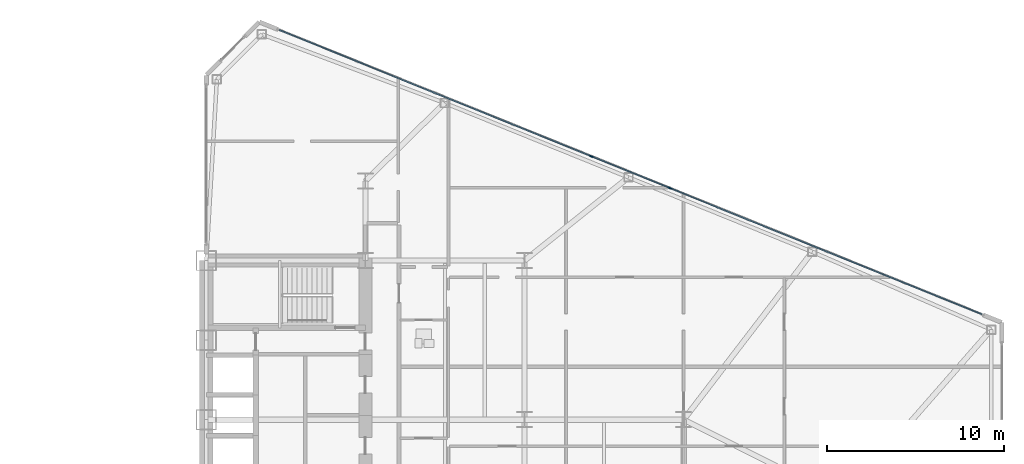
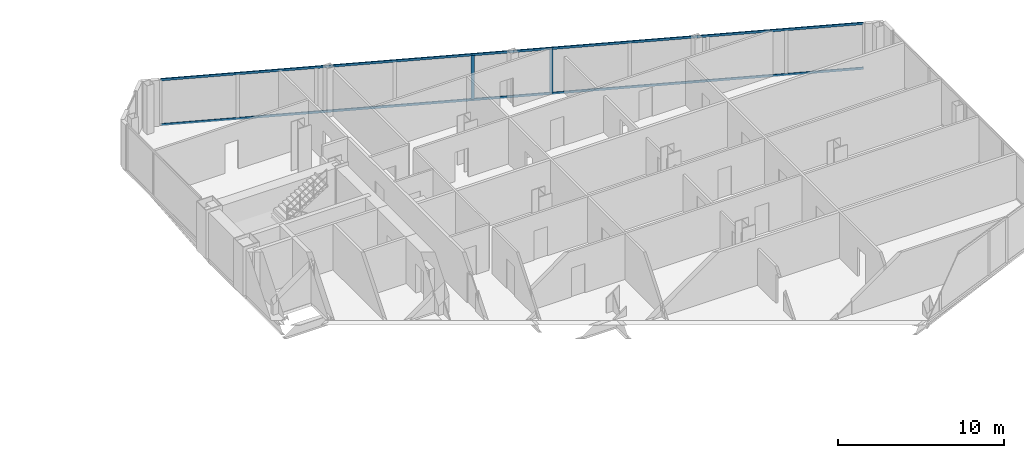
# One storey, part 12 of 25: 4 members, 1 element without a shape of its own.
"""IFC4 building model written with IfcOpenShell, lengths in metres."""

import ifcopenshell
import ifcopenshell.guid

model = None  # the IFC model being written
_history = None  # IfcOwnerHistory: only IFC2X3 demands one
_inside = {}  # id of a spatial element -> (the spatial element, [elements in it])
_under = {}  # id of a project, library or spatial element -> (it, [spatial elements below it])
_declared = {}  # id of a project -> (the project, [libraries it declares])
_typed = {}  # id of a type object -> (the type object, [elements of that type])
_made_of = {}  # id of a material, layer set ... -> (it, [elements and type objects made of it])


def new_model(schema):
    """Start an empty IFC model of exactly this schema.

    Asked for "IFC4X3", IfcOpenShell would pick the latest addendum, in which some entities
    have other attributes; the version numbers below select the first issue.
    IFC2X3 requires an IfcOwnerHistory on every rooted entity: one is made here for all.
    """
    global model, _history
    if schema == "IFC4X3":
        model = ifcopenshell.file(schema_version=(4, 3, 0, 0))
    else:
        model = ifcopenshell.file(schema=schema)
    _inside.clear()
    _under.clear()
    _declared.clear()
    _typed.clear()
    _made_of.clear()
    _history = None
    if model.schema == "IFC2X3":
        org = make("IfcOrganization", Name="unknown")
        user = make(
            "IfcPersonAndOrganization",
            ThePerson=make("IfcPerson", FamilyName="unknown"),
            TheOrganization=org,
        )
        app = make(
            "IfcApplication",
            ApplicationDeveloper=org,
            Version="unknown",
            ApplicationFullName="unknown",
            ApplicationIdentifier="unknown",
        )
        _history = make(
            "IfcOwnerHistory",
            OwningUser=user,
            OwningApplication=app,
            ChangeAction="ADDED",
            CreationDate=0,
        )
    return model


def make(cls, **values):
    """One entity of the class cls with the attributes given. An attribute that is None is left unset."""
    return model.create_entity(
        cls, **{name: value for name, value in values.items() if value is not None}
    )


def rooted(cls, **values):
    """An entity with a GlobalId (a new one), such as an element, a storey or a relation."""
    return make(cls, GlobalId=ifcopenshell.guid.new(), OwnerHistory=_history, **values)


def si_unit(unit_type, name, prefix=None):
    """IfcSIUnit, for example si_unit("LENGTHUNIT", "METRE", prefix="MILLI")."""
    return make("IfcSIUnit", UnitType=unit_type, Prefix=prefix, Name=name)


def assignment(units):
    """IfcUnitAssignment: the units of a project."""
    return None if units is None else make("IfcUnitAssignment", Units=units)


def point(xyz):
    """IfcCartesianPoint."""
    return None if xyz is None else make("IfcCartesianPoint", Coordinates=xyz)


def direction(xyz):
    """IfcDirection."""
    return None if xyz is None else make("IfcDirection", DirectionRatios=xyz)


def frame(location, z_axis=None, x_axis=None):
    """IfcAxis2Placement3D, a coordinate frame: its origin and axes. An axis left out is left unset."""
    return make(
        "IfcAxis2Placement3D",
        Location=point(location),
        Axis=direction(z_axis),
        RefDirection=direction(x_axis),
    )


def frame_2d(location, x_axis=None):
    """IfcAxis2Placement2D, a coordinate frame in the plane: its origin and x axis."""
    return make(
        "IfcAxis2Placement2D", Location=point(location), RefDirection=direction(x_axis)
    )


def origin():
    """The frame at (0, 0, 0) with its axes left unset."""
    return frame((0.0, 0.0, 0.0))


def origin_2d():
    """The frame at (0, 0) in the plane with its x axis left unset."""
    return frame_2d((0.0, 0.0))


def place(relative_to, where):
    """IfcLocalPlacement: puts the frame where relative to a parent placement (None: the world)."""
    return make(
        "IfcLocalPlacement", PlacementRelTo=relative_to, RelativePlacement=where
    )


def context(
    kind, dimensions, precision=None, world=None, true_north=None, identifier=None
):
    """IfcGeometricRepresentationContext, for example the 3D "Model" context."""
    return make(
        "IfcGeometricRepresentationContext",
        ContextIdentifier=identifier,
        ContextType=kind,
        CoordinateSpaceDimension=dimensions,
        Precision=precision,
        WorldCoordinateSystem=world,
        TrueNorth=true_north,
    )


def subcontext(parent, identifier, kind, view, scale=None):
    """IfcGeometricRepresentationSubContext, for example "Body" below "Model"."""
    return make(
        "IfcGeometricRepresentationSubContext",
        ContextIdentifier=identifier,
        ContextType=kind,
        ParentContext=parent,
        TargetScale=scale,
        TargetView=view,
    )


def project(units=None, contexts=None):
    """IfcProject with its units and contexts."""
    return rooted(
        "IfcProject",
        Name="project",
        RepresentationContexts=contexts,
        UnitsInContext=assignment(units),
    )


def spatial(cls, under=None, at=None, **own):
    """A site, building, storey or space (cls), placed at a placement, below another one or the project."""
    s = rooted(cls, ObjectPlacement=at, **own)
    if under is not None:
        _under.setdefault(under.id(), (under, []))[1].append(s)
    return s


def profile(cls, at=None, kind="AREA", **sizes):
    """A parametric profile (cls). Its sizes go by their IFC names, for example OverallWidth=200.0."""
    return make(cls, ProfileType=kind, Position=at, **sizes)


def rectangle(**sizes):
    """IfcRectangleProfileDef."""
    return profile("IfcRectangleProfileDef", **sizes)


def extrude(swept, where, along, depth):
    """IfcExtrudedAreaSolid: the profile swept, set in the frame where, extruded along a direction by depth."""
    return make(
        "IfcExtrudedAreaSolid",
        SweptArea=swept,
        Position=where,
        ExtrudedDirection=direction(along),
        Depth=depth,
    )


def shape(context_of_items, identifier, shape_type, items):
    """IfcShapeRepresentation: the items that make up one representation, for example the "Body"."""
    return make(
        "IfcShapeRepresentation",
        ContextOfItems=context_of_items,
        RepresentationIdentifier=identifier,
        RepresentationType=shape_type,
        Items=items,
    )


def source(mapping_origin, context_of_items, identifier, shape_type, items):
    """IfcRepresentationMap: a shape defined once, which mapped items show again and again."""
    return make(
        "IfcRepresentationMap",
        MappingOrigin=mapping_origin,
        MappedRepresentation=shape(context_of_items, identifier, shape_type, items),
    )


def transform(
    local_origin,
    x_axis=None,
    y_axis=None,
    z_axis=None,
    scale=None,
    scale2=None,
    scale3=None,
    uniform=True,
):
    """IfcCartesianTransformationOperator3D, or its non-uniform kind. x_axis, y_axis, z_axis: its Axis1, 2, 3."""
    if uniform:
        return make(
            "IfcCartesianTransformationOperator3D",
            Axis1=direction(x_axis),
            Axis2=direction(y_axis),
            LocalOrigin=point(local_origin),
            Scale=scale,
            Axis3=direction(z_axis),
        )
    return make(
        "IfcCartesianTransformationOperator3DnonUniform",
        Axis1=direction(x_axis),
        Axis2=direction(y_axis),
        LocalOrigin=point(local_origin),
        Scale=scale,
        Axis3=direction(z_axis),
        Scale2=scale2,
        Scale3=scale3,
    )


def mapped(mapping_source, mapping_target):
    """IfcMappedItem: shows the shape of a source again, moved by a transform."""
    return make(
        "IfcMappedItem", MappingSource=mapping_source, MappingTarget=mapping_target
    )


def material(Name=None, Category=None):
    """IfcMaterial."""
    return make("IfcMaterial", Name=Name, Category=Category)


def layer(
    of_material, thickness, ventilated=None, Name=None, Category=None, Priority=None
):
    """IfcMaterialLayer: one layer of a wall or slab, of a material (None: an air gap)."""
    return make(
        "IfcMaterialLayer",
        Material=of_material,
        LayerThickness=thickness,
        IsVentilated=ventilated,
        Name=Name,
        Category=Category,
        Priority=Priority,
    )


def layer_set(layers, Name=None):
    """IfcMaterialLayerSet."""
    return make("IfcMaterialLayerSet", MaterialLayers=layers, LayerSetName=Name)


def material_profile(
    of_material, cross_section, Name=None, Category=None, Priority=None
):
    """IfcMaterialProfile: a cross section and its material."""
    return make(
        "IfcMaterialProfile",
        Name=Name,
        Material=of_material,
        Profile=cross_section,
        Priority=Priority,
        Category=Category,
    )


def profile_set(profiles, Name=None, composite=None):
    """IfcMaterialProfileSet."""
    return make(
        "IfcMaterialProfileSet",
        Name=Name,
        MaterialProfiles=profiles,
        CompositeProfile=composite,
    )


def made_of(thing, what):
    """Note that an element or type object is made of a material, layer set ...; save() writes the relation."""
    if what is not None:
        _made_of.setdefault(what.id(), (what, []))[1].append(thing)
    return thing


def type_object(cls, material=None, **own):
    """A type object (cls), such as IfcWallType, which elements share."""
    return made_of(rooted(cls, **own), material)


def type_shapes(of_type, sources):
    """Give a type object the sources (RepresentationMaps) that its elements show as mapped items."""
    of_type.RepresentationMaps = sources


def element(
    cls,
    number,
    at=None,
    inside=None,
    cuts=None,
    type_object=None,
    material=None,
    context=None,
    identifier="Body",
    shape_type=None,
    held_by="IfcProductDefinitionShape",
    body=None,
    shapes=None,
    **own,
):
    """One element of the class cls, such as IfcWall. Its Tag is "e" and its number.

    at: its placement. inside: the storey or other place that contains it. cuts: it is an
    opening in that element (IfcRelVoidsElement). A single representation is given by context,
    identifier, shape_type and body (its items); several are given by shapes. held_by: the class
    of the entity that holds the representations. save() writes the other relations.
    """
    e = rooted(cls, Tag="e%d" % number, ObjectPlacement=at, **own)
    if body is not None:
        shapes = [shape(context, identifier, shape_type, body)]
    if shapes is not None:
        e.Representation = make(held_by, Representations=shapes)
    if inside is not None:
        _inside.setdefault(inside.id(), (inside, []))[1].append(e)
    if cuts is not None:
        rooted(
            "IfcRelVoidsElement", RelatingBuildingElement=cuts, RelatedOpeningElement=e
        )
    if type_object is not None:
        _typed.setdefault(type_object.id(), (type_object, []))[1].append(e)
    return made_of(e, material)


def aggregate(whole, parts):
    """IfcRelAggregates: a whole, such as a stair, and the parts it consists of."""
    return rooted("IfcRelAggregates", RelatingObject=whole, RelatedObjects=parts)


def save(model, path):
    """Write the relations noted so far, then the file.

    IfcRelAggregates (storeys below a building ...), IfcRelContainedInSpatialStructure (elements
    in a storey), IfcRelDefinesByType, IfcRelAssociatesMaterial and IfcRelDeclares: one each for
    every whole, place, type object, material and project.
    """
    for whole, parts in _under.values():
        aggregate(whole, parts)
    for where, things in _inside.values():
        rooted(
            "IfcRelContainedInSpatialStructure",
            RelatedElements=things,
            RelatingStructure=where,
        )
    for kind, things in _typed.values():
        rooted("IfcRelDefinesByType", RelatedObjects=things, RelatingType=kind)
    for what, things in _made_of.values():
        rooted("IfcRelAssociatesMaterial", RelatedObjects=things, RelatingMaterial=what)
    for by, libraries in _declared.values():
        rooted("IfcRelDeclares", RelatingContext=by, RelatedDefinitions=libraries)
    model.write(path)


model = new_model("IFC4")

# Units and contexts
model_context = context("Model", 3, precision=1e-05, world=origin(), true_north=direction((0.0, 1.0)))
body_context = subcontext(model_context, "Body", "Model", "MODEL_VIEW")
ifc_project = project(units=[si_unit("LENGTHUNIT", "METRE"), si_unit("AREAUNIT", "SQUARE_METRE"), si_unit("VOLUMEUNIT", "CUBIC_METRE"), si_unit("PLANEANGLEUNIT", "RADIAN"), si_unit("MASSUNIT", "GRAM", prefix="KILO")], contexts=[model_context])

# Site, building, storey
site_placement = place(None, origin())
site = spatial("IfcSite", under=ifc_project, at=site_placement, CompositionType="ELEMENT")
building_placement = place(site_placement, origin())
building = spatial("IfcBuilding", under=site, at=building_placement, Name="Seokmaru Belvedere", CompositionType="ELEMENT")
storey_placement = place(building_placement, frame((0.0, 0.0, 26.10009765625)))
storey = spatial("IfcBuildingStorey", under=building, at=storey_placement, Name="L06", CompositionType="ELEMENT", Elevation=26.10009765625)

# Curtain wall, members
ifc_material_1 = material(Name="Bronze Triple Insulating Glass", Category="glass")
ifc_layer = layer(ifc_material_1, 0.2099609375)
ifc_layer_set = layer_set([ifc_layer], Name="Bronze Triple Insulating Glass")
curtain_wall_type = type_object("IfcCurtainWallType", Name="Low-Rise Faceted Crystal Curtain Wall System CW-2", PredefinedType="NOTDEFINED", material=ifc_layer_set)
curtain_wall_placement = place(storey_placement, origin())
curtain_wall = element("IfcCurtainWall", 1, at=curtain_wall_placement, inside=storey, type_object=curtain_wall_type, Name="L06 Curtain Wall EF3", PredefinedType="NOTDEFINED")
ifc_material_2 = material(Name="Anodised Bronze Aluminium", Category="aluminium")
ifc_material_profile_1 = material_profile(ifc_material_2, rectangle(XDim=0.074951171875, YDim=0.2099609375, at=origin_2d()), Name="CW-M-75x210")
ifc_profile_set_1 = profile_set([ifc_material_profile_1], Name="Anodised Bronze Aluminium")
member_type_1 = type_object("IfcMemberType", Name="Bronze Unitised Mullion 75x210", PredefinedType="MULLION", material=ifc_profile_set_1)
shared_shape_1 = source(origin(), body_context, "Body", "SweptSolid", [
    extrude(rectangle(XDim=0.074951171875, YDim=0.2099609375, at=origin_2d()), origin(), (0.0, 0.0, 1.0), 3.239990234375),
])
type_shapes(member_type_1, [shared_shape_1])
member_1_placement = place(storey_placement, frame((53.71484375, 17.603515625, 0.06982421875), z_axis=(0.0, 0.0, 1.0), x_axis=(-0.375192321888, -0.926946989637, 0.0)))
member_1 = element("IfcMember", 2, at=member_1_placement, type_object=member_type_1, Name="CW:L06:EF3 Mullion 5", PredefinedType="MULLION", context=body_context, shape_type="MappedRepresentation", body=[
    mapped(shared_shape_1, transform((0.0, 0.0, 0.0), scale=1.0)),
])
member_2_placement = place(storey_placement, frame((49.28515625, 19.396484375, 0.06982421875), z_axis=(0.0, 0.0, 1.0), x_axis=(-0.375192321888, -0.926946989637, 0.0)))
member_2 = element("IfcMember", 3, at=member_2_placement, type_object=member_type_1, Name="CW:L06:EF3 Mullion 6", PredefinedType="MULLION", context=body_context, shape_type="MappedRepresentation", body=[
    mapped(shared_shape_1, transform((0.0, 0.0, 0.0), scale=1.0)),
])
ifc_material_profile_2 = material_profile(ifc_material_2, rectangle(XDim=0.070068359375, YDim=0.1650390625, at=origin_2d()), Name="CW-T-70x165")
ifc_profile_set_2 = profile_set([ifc_material_profile_2], Name="Anodised Bronze Aluminium")
member_type_2 = type_object("IfcMemberType", Name="Bronze Unitised Transom 70x165", PredefinedType="USERDEFINED", material=ifc_profile_set_2)
shared_shape_2 = source(origin(), body_context, "Body", "SweptSolid", [
    extrude(rectangle(XDim=0.070068359375, YDim=0.1650390625, at=origin_2d()), origin(), (0.0, 0.0, 1.0), 42.860107421875),
])
type_shapes(member_type_2, [shared_shape_2])
member_3_placement = place(storey_placement, frame((71.364501953125, 10.459716796875, 0.034912109375), z_axis=(-0.926948605599, 0.375188329481, 0.0), x_axis=(-0.375188329481, -0.926948605599, 0.0)))
member_3 = element("IfcMember", 4, at=member_3_placement, type_object=member_type_2, Name="CW:L06:EF3 Continuous Transom 1", ObjectType="TRANSOM", PredefinedType="USERDEFINED", context=body_context, shape_type="MappedRepresentation", body=[
    mapped(shared_shape_2, transform((0.0, 0.0, 0.0), scale=1.0)),
])
member_4_placement = place(storey_placement, frame((71.364501953125, 10.459716796875, 3.344970703125), z_axis=(-0.926948605599, 0.375188329481, 0.0), x_axis=(-0.375188329481, -0.926948605599, 0.0)))
member_4 = element("IfcMember", 5, at=member_4_placement, type_object=member_type_2, Name="CW:L06:EF3 Continuous Transom 2", ObjectType="TRANSOM", PredefinedType="USERDEFINED", context=body_context, shape_type="MappedRepresentation", body=[
    mapped(shared_shape_2, transform((0.0, 0.0, 0.0), scale=1.0)),
])
aggregate(curtain_wall, [member_1, member_2, member_3, member_4])

save(model, "model.ifc")
